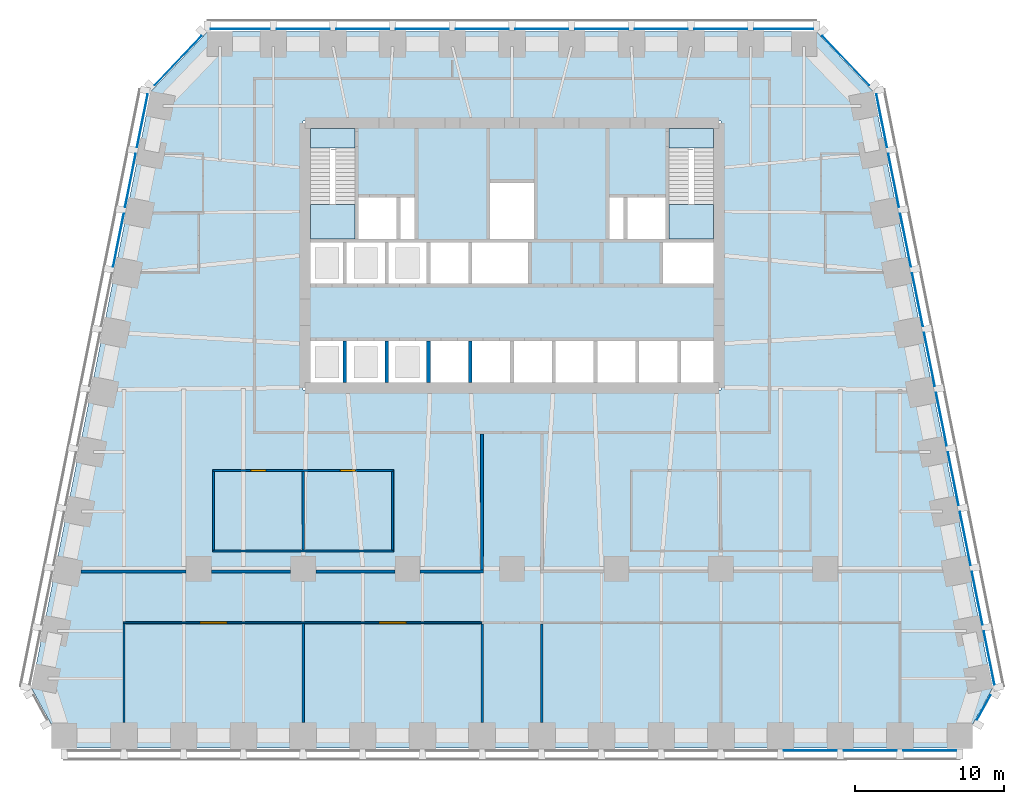
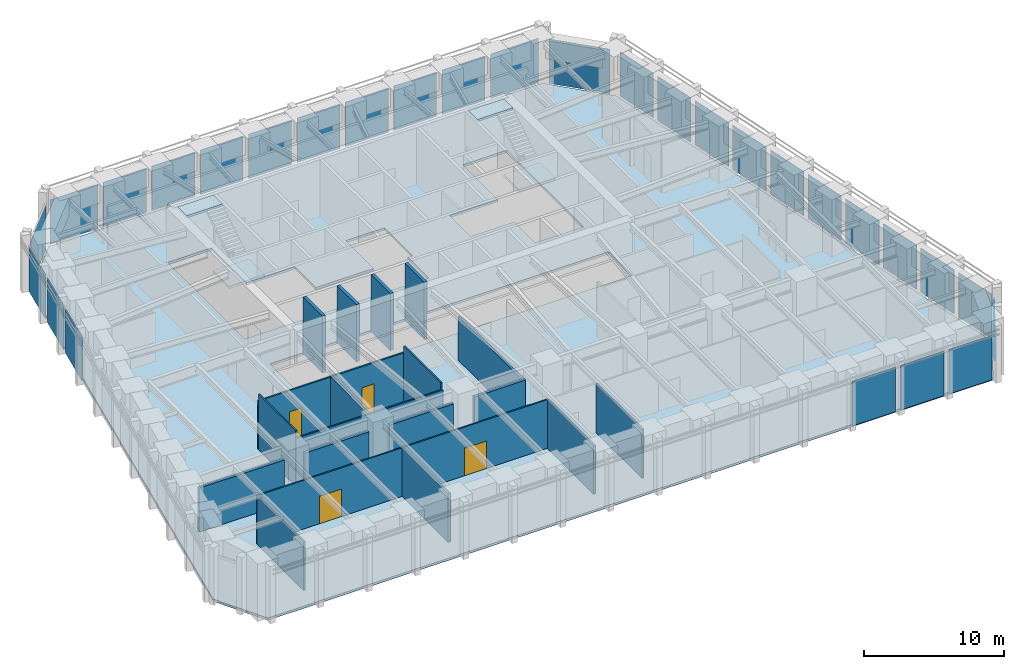
# One storey, part 5 of 11: 29 plates, 19 walls, 5 slabs, 4 doors, 4 openings, 9 elements without a shape of their own.
"""IFC4 building model written with IfcOpenShell, lengths in metres."""

import ifcopenshell
import ifcopenshell.guid

model = None  # the IFC model being written
_history = None  # IfcOwnerHistory: only IFC2X3 demands one
_inside = {}  # id of a spatial element -> (the spatial element, [elements in it])
_under = {}  # id of a project, library or spatial element -> (it, [spatial elements below it])
_declared = {}  # id of a project -> (the project, [libraries it declares])
_typed = {}  # id of a type object -> (the type object, [elements of that type])
_made_of = {}  # id of a material, layer set ... -> (it, [elements and type objects made of it])


def new_model(schema):
    """Start an empty IFC model of exactly this schema.

    Asked for "IFC4X3", IfcOpenShell would pick the latest addendum, in which some entities
    have other attributes; the version numbers below select the first issue.
    IFC2X3 requires an IfcOwnerHistory on every rooted entity: one is made here for all.
    """
    global model, _history
    if schema == "IFC4X3":
        model = ifcopenshell.file(schema_version=(4, 3, 0, 0))
    else:
        model = ifcopenshell.file(schema=schema)
    _inside.clear()
    _under.clear()
    _declared.clear()
    _typed.clear()
    _made_of.clear()
    _history = None
    if model.schema == "IFC2X3":
        org = make("IfcOrganization", Name="unknown")
        user = make(
            "IfcPersonAndOrganization",
            ThePerson=make("IfcPerson", FamilyName="unknown"),
            TheOrganization=org,
        )
        app = make(
            "IfcApplication",
            ApplicationDeveloper=org,
            Version="unknown",
            ApplicationFullName="unknown",
            ApplicationIdentifier="unknown",
        )
        _history = make(
            "IfcOwnerHistory",
            OwningUser=user,
            OwningApplication=app,
            ChangeAction="ADDED",
            CreationDate=0,
        )
    return model


def make(cls, **values):
    """One entity of the class cls with the attributes given. An attribute that is None is left unset."""
    return model.create_entity(
        cls, **{name: value for name, value in values.items() if value is not None}
    )


def rooted(cls, **values):
    """An entity with a GlobalId (a new one), such as an element, a storey or a relation."""
    return make(cls, GlobalId=ifcopenshell.guid.new(), OwnerHistory=_history, **values)


def si_unit(unit_type, name, prefix=None):
    """IfcSIUnit, for example si_unit("LENGTHUNIT", "METRE", prefix="MILLI")."""
    return make("IfcSIUnit", UnitType=unit_type, Prefix=prefix, Name=name)


def assignment(units):
    """IfcUnitAssignment: the units of a project."""
    return None if units is None else make("IfcUnitAssignment", Units=units)


def point(xyz):
    """IfcCartesianPoint."""
    return None if xyz is None else make("IfcCartesianPoint", Coordinates=xyz)


def direction(xyz):
    """IfcDirection."""
    return None if xyz is None else make("IfcDirection", DirectionRatios=xyz)


def frame(location, z_axis=None, x_axis=None):
    """IfcAxis2Placement3D, a coordinate frame: its origin and axes. An axis left out is left unset."""
    return make(
        "IfcAxis2Placement3D",
        Location=point(location),
        Axis=direction(z_axis),
        RefDirection=direction(x_axis),
    )


def frame_2d(location, x_axis=None):
    """IfcAxis2Placement2D, a coordinate frame in the plane: its origin and x axis."""
    return make(
        "IfcAxis2Placement2D", Location=point(location), RefDirection=direction(x_axis)
    )


def origin():
    """The frame at (0, 0, 0) with its axes left unset."""
    return frame((0.0, 0.0, 0.0))


def origin_2d():
    """The frame at (0, 0) in the plane with its x axis left unset."""
    return frame_2d((0.0, 0.0))


def place(relative_to, where):
    """IfcLocalPlacement: puts the frame where relative to a parent placement (None: the world)."""
    return make(
        "IfcLocalPlacement", PlacementRelTo=relative_to, RelativePlacement=where
    )


def context(
    kind, dimensions, precision=None, world=None, true_north=None, identifier=None
):
    """IfcGeometricRepresentationContext, for example the 3D "Model" context."""
    return make(
        "IfcGeometricRepresentationContext",
        ContextIdentifier=identifier,
        ContextType=kind,
        CoordinateSpaceDimension=dimensions,
        Precision=precision,
        WorldCoordinateSystem=world,
        TrueNorth=true_north,
    )


def subcontext(parent, identifier, kind, view, scale=None):
    """IfcGeometricRepresentationSubContext, for example "Body" below "Model"."""
    return make(
        "IfcGeometricRepresentationSubContext",
        ContextIdentifier=identifier,
        ContextType=kind,
        ParentContext=parent,
        TargetScale=scale,
        TargetView=view,
    )


def project(units=None, contexts=None):
    """IfcProject with its units and contexts."""
    return rooted(
        "IfcProject",
        Name="project",
        RepresentationContexts=contexts,
        UnitsInContext=assignment(units),
    )


def spatial(cls, under=None, at=None, **own):
    """A site, building, storey or space (cls), placed at a placement, below another one or the project."""
    s = rooted(cls, ObjectPlacement=at, **own)
    if under is not None:
        _under.setdefault(under.id(), (under, []))[1].append(s)
    return s


def polyline(points):
    """IfcPolyline through the points."""
    return make("IfcPolyline", Points=[point(p) for p in points])


def profile(cls, at=None, kind="AREA", **sizes):
    """A parametric profile (cls). Its sizes go by their IFC names, for example OverallWidth=200.0."""
    return make(cls, ProfileType=kind, Position=at, **sizes)


def rectangle(**sizes):
    """IfcRectangleProfileDef."""
    return profile("IfcRectangleProfileDef", **sizes)


def outline(outer, holes=None, kind="AREA"):
    """IfcArbitraryClosedProfileDef: a profile drawn as a closed curve; with holes, ...WithVoids."""
    if holes is None:
        return make("IfcArbitraryClosedProfileDef", ProfileType=kind, OuterCurve=outer)
    return make(
        "IfcArbitraryProfileDefWithVoids",
        ProfileType=kind,
        OuterCurve=outer,
        InnerCurves=holes,
    )


def extrude(swept, where, along, depth):
    """IfcExtrudedAreaSolid: the profile swept, set in the frame where, extruded along a direction by depth."""
    return make(
        "IfcExtrudedAreaSolid",
        SweptArea=swept,
        Position=where,
        ExtrudedDirection=direction(along),
        Depth=depth,
    )


def shape(context_of_items, identifier, shape_type, items):
    """IfcShapeRepresentation: the items that make up one representation, for example the "Body"."""
    return make(
        "IfcShapeRepresentation",
        ContextOfItems=context_of_items,
        RepresentationIdentifier=identifier,
        RepresentationType=shape_type,
        Items=items,
    )


def material(Name=None, Category=None):
    """IfcMaterial."""
    return make("IfcMaterial", Name=Name, Category=Category)


def layer(
    of_material, thickness, ventilated=None, Name=None, Category=None, Priority=None
):
    """IfcMaterialLayer: one layer of a wall or slab, of a material (None: an air gap)."""
    return make(
        "IfcMaterialLayer",
        Material=of_material,
        LayerThickness=thickness,
        IsVentilated=ventilated,
        Name=Name,
        Category=Category,
        Priority=Priority,
    )


def layer_set(layers, Name=None):
    """IfcMaterialLayerSet."""
    return make("IfcMaterialLayerSet", MaterialLayers=layers, LayerSetName=Name)


def made_of(thing, what):
    """Note that an element or type object is made of a material, layer set ...; save() writes the relation."""
    if what is not None:
        _made_of.setdefault(what.id(), (what, []))[1].append(thing)
    return thing


def type_object(cls, material=None, **own):
    """A type object (cls), such as IfcWallType, which elements share."""
    return made_of(rooted(cls, **own), material)


def element(
    cls,
    number,
    at=None,
    inside=None,
    cuts=None,
    type_object=None,
    material=None,
    context=None,
    identifier="Body",
    shape_type=None,
    held_by="IfcProductDefinitionShape",
    body=None,
    shapes=None,
    **own,
):
    """One element of the class cls, such as IfcWall. Its Tag is "e" and its number.

    at: its placement. inside: the storey or other place that contains it. cuts: it is an
    opening in that element (IfcRelVoidsElement). A single representation is given by context,
    identifier, shape_type and body (its items); several are given by shapes. held_by: the class
    of the entity that holds the representations. save() writes the other relations.
    """
    e = rooted(cls, Tag="e%d" % number, ObjectPlacement=at, **own)
    if body is not None:
        shapes = [shape(context, identifier, shape_type, body)]
    if shapes is not None:
        e.Representation = make(held_by, Representations=shapes)
    if inside is not None:
        _inside.setdefault(inside.id(), (inside, []))[1].append(e)
    if cuts is not None:
        rooted(
            "IfcRelVoidsElement", RelatingBuildingElement=cuts, RelatedOpeningElement=e
        )
    if type_object is not None:
        _typed.setdefault(type_object.id(), (type_object, []))[1].append(e)
    return made_of(e, material)


def fill(opening, filler):
    """IfcRelFillsElement: the door or window that sits in an opening."""
    return rooted(
        "IfcRelFillsElement",
        RelatingOpeningElement=opening,
        RelatedBuildingElement=filler,
    )


def aggregate(whole, parts):
    """IfcRelAggregates: a whole, such as a stair, and the parts it consists of."""
    return rooted("IfcRelAggregates", RelatingObject=whole, RelatedObjects=parts)


def save(model, path):
    """Write the relations noted so far, then the file.

    IfcRelAggregates (storeys below a building ...), IfcRelContainedInSpatialStructure (elements
    in a storey), IfcRelDefinesByType, IfcRelAssociatesMaterial and IfcRelDeclares: one each for
    every whole, place, type object, material and project.
    """
    for whole, parts in _under.values():
        aggregate(whole, parts)
    for where, things in _inside.values():
        rooted(
            "IfcRelContainedInSpatialStructure",
            RelatedElements=things,
            RelatingStructure=where,
        )
    for kind, things in _typed.values():
        rooted("IfcRelDefinesByType", RelatedObjects=things, RelatingType=kind)
    for what, things in _made_of.values():
        rooted("IfcRelAssociatesMaterial", RelatedObjects=things, RelatingMaterial=what)
    for by, libraries in _declared.values():
        rooted("IfcRelDeclares", RelatingContext=by, RelatedDefinitions=libraries)
    model.write(path)


model = new_model("IFC4")

# Units and contexts
model_context = context("Model", 3, precision=1e-05, world=origin(), true_north=direction((0.0, 1.0)))
body_context = subcontext(model_context, "Body", "Model", "MODEL_VIEW")
ifc_project = project(units=[si_unit("LENGTHUNIT", "METRE"), si_unit("AREAUNIT", "SQUARE_METRE"), si_unit("VOLUMEUNIT", "CUBIC_METRE"), si_unit("PLANEANGLEUNIT", "RADIAN"), si_unit("MASSUNIT", "GRAM", prefix="KILO")], contexts=[model_context])

# Site, building, storey
site_placement = place(None, origin())
site = spatial("IfcSite", under=ifc_project, at=site_placement, CompositionType="ELEMENT")
building_placement = place(site_placement, origin())
building = spatial("IfcBuilding", under=site, at=building_placement, Name="Isbrekke Arena Tower", CompositionType="ELEMENT")
storey_placement = place(building_placement, frame((0.0, 0.0, 98.0)))
storey = spatial("IfcBuildingStorey", under=building, at=storey_placement, Name="L21", CompositionType="ELEMENT", Elevation=98.0)

# Curtain wall, plates
ifc_material_1 = material(Name="Glazed aluminium curtain wall", Category="aluminium")
curtain_wall_type = type_object("IfcCurtainWallType", Name="CWS SKY LOBBY CURTAIN WALL", PredefinedType="USERDEFINED", material=ifc_material_1)
curtain_wall_1_placement = place(storey_placement, origin())
curtain_wall_1 = element("IfcCurtainWall", 1, at=curtain_wall_1_placement, inside=storey, type_object=curtain_wall_type, Name="CWS curtain wall L21-S", ObjectType="SKY LOBBY CURTAIN WALL", PredefinedType="USERDEFINED")
ifc_material_2 = material(Name="Triple-glazed clear glass unit", Category="glass")
ifc_layer_1 = layer(ifc_material_2, 0.031982421875)
ifc_layer_set_1 = layer_set([ifc_layer_1], Name="CWS-P VISION PANEL")
plate_type = type_object("IfcPlateType", Name="CWS-P VISION PANEL", PredefinedType="CURTAIN_PANEL", material=ifc_layer_set_1)
plate_1_placement = place(storey_placement, frame((20.0, -18.175048828125, 0.02001953125), z_axis=(0.0, 0.0, 1.0), x_axis=(1.0, 0.0, 0.0)))
plate_1 = element("IfcPlate", 2, at=plate_1_placement, type_object=plate_type, Name="CWS-P panel 13", PredefinedType="CURTAIN_PANEL", context=body_context, shape_type="SweptSolid", body=[
    extrude(rectangle(XDim=3.550048828125, YDim=0.031982421875, at=origin_2d()), origin(), (0.0, 0.0, 1.0), 3.8798828125),
])
plate_2_placement = place(storey_placement, frame((24.0, -18.175048828125, 0.02001953125), z_axis=(0.0, 0.0, 1.0), x_axis=(1.0, 0.0, 0.0)))
plate_2 = element("IfcPlate", 3, at=plate_2_placement, type_object=plate_type, Name="CWS-P panel 14", PredefinedType="CURTAIN_PANEL", context=body_context, shape_type="SweptSolid", body=[
    extrude(rectangle(XDim=3.550048828125, YDim=0.031982421875, at=origin_2d()), origin(), (0.0, 0.0, 1.0), 3.8798828125),
])
plate_3_placement = place(storey_placement, frame((28.0, -18.175048828125, 0.02001953125), z_axis=(0.0, 0.0, 1.0), x_axis=(1.0, 0.0, 0.0)))
plate_3 = element("IfcPlate", 4, at=plate_3_placement, type_object=plate_type, Name="CWS-P panel 15", PredefinedType="CURTAIN_PANEL", context=body_context, shape_type="SweptSolid", body=[
    extrude(rectangle(XDim=3.550048828125, YDim=0.031982421875, at=origin_2d()), origin(), (0.0, 0.0, 1.0), 3.8798828125),
])
aggregate(curtain_wall_1, [plate_1, plate_2, plate_3])

# Curtain wall, plate
curtain_wall_2_placement = place(storey_placement, origin())
curtain_wall_2 = element("IfcCurtainWall", 5, at=curtain_wall_2_placement, inside=storey, type_object=curtain_wall_type, Name="CWS curtain wall L21-SE", ObjectType="SKY LOBBY CURTAIN WALL", PredefinedType="USERDEFINED")
plate_4_placement = place(storey_placement, frame((31.604248046875, -15.29052734375, 0.02001953125), z_axis=(0.0, 0.0, 1.0), x_axis=(0.481918749773, 0.876215908676, 0.0)))
plate_4 = element("IfcPlate", 6, at=plate_4_placement, type_object=plate_type, Name="CWS-P panel 1", PredefinedType="CURTAIN_PANEL", context=body_context, shape_type="SweptSolid", body=[
    extrude(rectangle(XDim=1.876220703125, YDim=0.031982421875, at=origin_2d()), origin(), (0.0, 0.0, 1.0), 3.8798828125),
])
aggregate(curtain_wall_2, [plate_4])

# Curtain wall, plates
curtain_wall_3_placement = place(storey_placement, origin())
curtain_wall_3 = element("IfcCurtainWall", 7, at=curtain_wall_3_placement, inside=storey, type_object=curtain_wall_type, Name="CWS curtain wall L21-E", ObjectType="SKY LOBBY CURTAIN WALL", PredefinedType="USERDEFINED")
plate_5_placement = place(storey_placement, frame((31.9716796875, -11.965576171875, 0.02001953125), z_axis=(0.0, 0.0, 1.0), x_axis=(-0.196116135138, 0.980580675691, 0.0)))
plate_5 = element("IfcPlate", 8, at=plate_5_placement, type_object=plate_type, Name="CWS-P panel 1", PredefinedType="CURTAIN_PANEL", context=body_context, shape_type="SweptSolid", body=[
    extrude(rectangle(XDim=3.629150390625, YDim=0.031982421875, at=origin_2d()), origin(), (0.0, 0.0, 1.0), 3.8798828125),
])
plate_6_placement = place(storey_placement, frame((31.171630859375, -7.965576171875, 0.02001953125), z_axis=(0.0, 0.0, 1.0), x_axis=(-0.196116135138, 0.980580675691, 0.0)))
plate_6 = element("IfcPlate", 9, at=plate_6_placement, type_object=plate_type, Name="CWS-P panel 2", PredefinedType="CURTAIN_PANEL", context=body_context, shape_type="SweptSolid", body=[
    extrude(rectangle(XDim=3.629150390625, YDim=0.031982421875, at=origin_2d()), origin(), (0.0, 0.0, 1.0), 3.8798828125),
])
plate_7_placement = place(storey_placement, frame((30.37158203125, -3.965576171875, 0.02001953125), z_axis=(0.0, 0.0, 1.0), x_axis=(-0.196116135138, 0.980580675691, 0.0)))
plate_7 = element("IfcPlate", 10, at=plate_7_placement, type_object=plate_type, Name="CWS-P panel 3", PredefinedType="CURTAIN_PANEL", context=body_context, shape_type="SweptSolid", body=[
    extrude(rectangle(XDim=3.629150390625, YDim=0.031982421875, at=origin_2d()), origin(), (0.0, 0.0, 1.0), 3.8798828125),
])
plate_8_placement = place(storey_placement, frame((29.571533203125, 0.034423828125, 0.02001953125), z_axis=(0.0, 0.0, 1.0), x_axis=(-0.196116135138, 0.980580675691, 0.0)))
plate_8 = element("IfcPlate", 11, at=plate_8_placement, type_object=plate_type, Name="CWS-P panel 4", PredefinedType="CURTAIN_PANEL", context=body_context, shape_type="SweptSolid", body=[
    extrude(rectangle(XDim=3.629150390625, YDim=0.031982421875, at=origin_2d()), origin(), (0.0, 0.0, 1.0), 3.8798828125),
])
plate_9_placement = place(storey_placement, frame((28.771484375, 4.034423828125, 0.02001953125), z_axis=(0.0, 0.0, 1.0), x_axis=(-0.196116135138, 0.980580675691, 0.0)))
plate_9 = element("IfcPlate", 12, at=plate_9_placement, type_object=plate_type, Name="CWS-P panel 5", PredefinedType="CURTAIN_PANEL", context=body_context, shape_type="SweptSolid", body=[
    extrude(rectangle(XDim=3.629150390625, YDim=0.031982421875, at=origin_2d()), origin(), (0.0, 0.0, 1.0), 3.8798828125),
])
plate_10_placement = place(storey_placement, frame((27.9716796875, 8.034423828125, 0.02001953125), z_axis=(0.0, 0.0, 1.0), x_axis=(-0.196116135138, 0.980580675691, 0.0)))
plate_10 = element("IfcPlate", 13, at=plate_10_placement, type_object=plate_type, Name="CWS-P panel 6", PredefinedType="CURTAIN_PANEL", context=body_context, shape_type="SweptSolid", body=[
    extrude(rectangle(XDim=3.629150390625, YDim=0.031982421875, at=origin_2d()), origin(), (0.0, 0.0, 1.0), 3.8798828125),
])
plate_11_placement = place(storey_placement, frame((27.171630859375, 12.034423828125, 0.02001953125), z_axis=(0.0, 0.0, 1.0), x_axis=(-0.196116135138, 0.980580675691, 0.0)))
plate_11 = element("IfcPlate", 14, at=plate_11_placement, type_object=plate_type, Name="CWS-P panel 7", PredefinedType="CURTAIN_PANEL", context=body_context, shape_type="SweptSolid", body=[
    extrude(rectangle(XDim=3.629150390625, YDim=0.031982421875, at=origin_2d()), origin(), (0.0, 0.0, 1.0), 3.8798828125),
])
plate_12_placement = place(storey_placement, frame((26.37158203125, 16.034423828125, 0.02001953125), z_axis=(0.0, 0.0, 1.0), x_axis=(-0.196116135138, 0.980580675691, 0.0)))
plate_12 = element("IfcPlate", 15, at=plate_12_placement, type_object=plate_type, Name="CWS-P panel 8", PredefinedType="CURTAIN_PANEL", context=body_context, shape_type="SweptSolid", body=[
    extrude(rectangle(XDim=3.629150390625, YDim=0.031982421875, at=origin_2d()), origin(), (0.0, 0.0, 1.0), 3.8798828125),
])
plate_13_placement = place(storey_placement, frame((25.571533203125, 20.034423828125, 0.02001953125), z_axis=(0.0, 0.0, 1.0), x_axis=(-0.196116135138, 0.980580675691, 0.0)))
plate_13 = element("IfcPlate", 16, at=plate_13_placement, type_object=plate_type, Name="CWS-P panel 9", PredefinedType="CURTAIN_PANEL", context=body_context, shape_type="SweptSolid", body=[
    extrude(rectangle(XDim=3.629150390625, YDim=0.031982421875, at=origin_2d()), origin(), (0.0, 0.0, 1.0), 3.8798828125),
])
plate_14_placement = place(storey_placement, frame((24.771484375, 24.034423828125, 0.02001953125), z_axis=(0.0, 0.0, 1.0), x_axis=(-0.196116135138, 0.980580675691, 0.0)))
plate_14 = element("IfcPlate", 17, at=plate_14_placement, type_object=plate_type, Name="CWS-P panel 10", PredefinedType="CURTAIN_PANEL", context=body_context, shape_type="SweptSolid", body=[
    extrude(rectangle(XDim=3.629150390625, YDim=0.031982421875, at=origin_2d()), origin(), (0.0, 0.0, 1.0), 3.8798828125),
])
aggregate(curtain_wall_3, [plate_5, plate_6, plate_7, plate_8, plate_9, plate_10, plate_11, plate_12, plate_13, plate_14])

# Curtain wall, plate
curtain_wall_4_placement = place(storey_placement, origin())
curtain_wall_4 = element("IfcCurtainWall", 18, at=curtain_wall_4_placement, inside=storey, type_object=curtain_wall_type, Name="CWS curtain wall L21-EN", ObjectType="SKY LOBBY CURTAIN WALL", PredefinedType="USERDEFINED")
plate_15_placement = place(storey_placement, frame((22.374755859375, 28.06640625, 0.02001953125), z_axis=(0.0, 0.0, 1.0), x_axis=(-0.68874946192, 0.72499943359, 0.0)))
plate_15 = element("IfcPlate", 19, at=plate_15_placement, type_object=plate_type, Name="CWS-P panel 1", PredefinedType="CURTAIN_PANEL", context=body_context, shape_type="SweptSolid", body=[
    extrude(rectangle(XDim=4.558349609375, YDim=0.031982421875, at=origin_2d()), origin(), (0.0, 0.0, 1.0), 3.8798828125),
])
aggregate(curtain_wall_4, [plate_15])

# Curtain wall, plates
curtain_wall_5_placement = place(storey_placement, origin())
curtain_wall_5 = element("IfcCurtainWall", 20, at=curtain_wall_5_placement, inside=storey, type_object=curtain_wall_type, Name="CWS curtain wall L21-N", ObjectType="SKY LOBBY CURTAIN WALL", PredefinedType="USERDEFINED")
plate_16_placement = place(storey_placement, frame((18.199951171875, 30.175048828125, 0.02001953125), z_axis=(0.0, 0.0, 1.0), x_axis=(-1.0, 0.0, 0.0)))
plate_16 = element("IfcPlate", 21, at=plate_16_placement, type_object=plate_type, Name="CWS-P panel 1", PredefinedType="CURTAIN_PANEL", context=body_context, shape_type="SweptSolid", body=[
    extrude(rectangle(XDim=3.949951171875, YDim=0.031982421875, at=origin_2d()), origin(), (0.0, 0.0, 1.0), 3.8798828125),
])
plate_17_placement = place(storey_placement, frame((14.0, 30.175048828125, 0.02001953125), z_axis=(0.0, 0.0, 1.0), x_axis=(-1.0, 0.0, 0.0)))
plate_17 = element("IfcPlate", 22, at=plate_17_placement, type_object=plate_type, Name="CWS-P panel 2", PredefinedType="CURTAIN_PANEL", context=body_context, shape_type="SweptSolid", body=[
    extrude(rectangle(XDim=3.550048828125, YDim=0.031982421875, at=origin_2d()), origin(), (0.0, 0.0, 1.0), 3.8798828125),
])
plate_18_placement = place(storey_placement, frame((10.0, 30.175048828125, 0.02001953125), z_axis=(0.0, 0.0, 1.0), x_axis=(-1.0, 0.0, 0.0)))
plate_18 = element("IfcPlate", 23, at=plate_18_placement, type_object=plate_type, Name="CWS-P panel 3", PredefinedType="CURTAIN_PANEL", context=body_context, shape_type="SweptSolid", body=[
    extrude(rectangle(XDim=3.550048828125, YDim=0.031982421875, at=origin_2d()), origin(), (0.0, 0.0, 1.0), 3.8798828125),
])
plate_19_placement = place(storey_placement, frame((6.0, 30.175048828125, 0.02001953125), z_axis=(0.0, 0.0, 1.0), x_axis=(-1.0, 0.0, 0.0)))
plate_19 = element("IfcPlate", 24, at=plate_19_placement, type_object=plate_type, Name="CWS-P panel 4", PredefinedType="CURTAIN_PANEL", context=body_context, shape_type="SweptSolid", body=[
    extrude(rectangle(XDim=3.550048828125, YDim=0.031982421875, at=origin_2d()), origin(), (0.0, 0.0, 1.0), 3.8798828125),
])
plate_20_placement = place(storey_placement, frame((2.0, 30.175048828125, 0.02001953125), z_axis=(0.0, 0.0, 1.0), x_axis=(-1.0, 0.0, 0.0)))
plate_20 = element("IfcPlate", 25, at=plate_20_placement, type_object=plate_type, Name="CWS-P panel 5", PredefinedType="CURTAIN_PANEL", context=body_context, shape_type="SweptSolid", body=[
    extrude(rectangle(XDim=3.550048828125, YDim=0.031982421875, at=origin_2d()), origin(), (0.0, 0.0, 1.0), 3.8798828125),
])
plate_21_placement = place(storey_placement, frame((-2.0, 30.175048828125, 0.02001953125), z_axis=(0.0, 0.0, 1.0), x_axis=(-1.0, 0.0, 0.0)))
plate_21 = element("IfcPlate", 26, at=plate_21_placement, type_object=plate_type, Name="CWS-P panel 6", PredefinedType="CURTAIN_PANEL", context=body_context, shape_type="SweptSolid", body=[
    extrude(rectangle(XDim=3.550048828125, YDim=0.031982421875, at=origin_2d()), origin(), (0.0, 0.0, 1.0), 3.8798828125),
])
plate_22_placement = place(storey_placement, frame((-6.0, 30.175048828125, 0.02001953125), z_axis=(0.0, 0.0, 1.0), x_axis=(-1.0, 0.0, 0.0)))
plate_22 = element("IfcPlate", 27, at=plate_22_placement, type_object=plate_type, Name="CWS-P panel 7", PredefinedType="CURTAIN_PANEL", context=body_context, shape_type="SweptSolid", body=[
    extrude(rectangle(XDim=3.550048828125, YDim=0.031982421875, at=origin_2d()), origin(), (0.0, 0.0, 1.0), 3.8798828125),
])
plate_23_placement = place(storey_placement, frame((-10.0, 30.175048828125, 0.02001953125), z_axis=(0.0, 0.0, 1.0), x_axis=(-1.0, 0.0, 0.0)))
plate_23 = element("IfcPlate", 28, at=plate_23_placement, type_object=plate_type, Name="CWS-P panel 8", PredefinedType="CURTAIN_PANEL", context=body_context, shape_type="SweptSolid", body=[
    extrude(rectangle(XDim=3.550048828125, YDim=0.031982421875, at=origin_2d()), origin(), (0.0, 0.0, 1.0), 3.8798828125),
])
plate_24_placement = place(storey_placement, frame((-14.0, 30.175048828125, 0.02001953125), z_axis=(0.0, 0.0, 1.0), x_axis=(-1.0, 0.0, 0.0)))
plate_24 = element("IfcPlate", 29, at=plate_24_placement, type_object=plate_type, Name="CWS-P panel 9", PredefinedType="CURTAIN_PANEL", context=body_context, shape_type="SweptSolid", body=[
    extrude(rectangle(XDim=3.550048828125, YDim=0.031982421875, at=origin_2d()), origin(), (0.0, 0.0, 1.0), 3.8798828125),
])
plate_25_placement = place(storey_placement, frame((-18.199951171875, 30.175048828125, 0.02001953125), z_axis=(0.0, 0.0, 1.0), x_axis=(-1.0, 0.0, 0.0)))
plate_25 = element("IfcPlate", 30, at=plate_25_placement, type_object=plate_type, Name="CWS-P panel 10", PredefinedType="CURTAIN_PANEL", context=body_context, shape_type="SweptSolid", body=[
    extrude(rectangle(XDim=3.949951171875, YDim=0.031982421875, at=origin_2d()), origin(), (0.0, 0.0, 1.0), 3.8798828125),
])
aggregate(curtain_wall_5, [plate_16, plate_17, plate_18, plate_19, plate_20, plate_21, plate_22, plate_23, plate_24, plate_25])

# Curtain wall, plate
curtain_wall_6_placement = place(storey_placement, origin())
curtain_wall_6 = element("IfcCurtainWall", 31, at=curtain_wall_6_placement, inside=storey, type_object=curtain_wall_type, Name="CWS curtain wall L21-NW", ObjectType="SKY LOBBY CURTAIN WALL", PredefinedType="USERDEFINED")
plate_26_placement = place(storey_placement, frame((-22.37451171875, 28.066650390625, 0.02001953125), z_axis=(0.0, 0.0, 1.0), x_axis=(-0.68874946192, -0.72499943359, 0.0)))
plate_26 = element("IfcPlate", 32, at=plate_26_placement, type_object=plate_type, Name="CWS-P panel 1", PredefinedType="CURTAIN_PANEL", context=body_context, shape_type="SweptSolid", body=[
    extrude(rectangle(XDim=4.557373046875, YDim=0.031982421875, at=origin_2d()), origin(), (0.0, 0.0, 1.0), 3.8798828125),
])
aggregate(curtain_wall_6, [plate_26])

# Curtain wall, plates
curtain_wall_7_placement = place(storey_placement, origin())
curtain_wall_7 = element("IfcCurtainWall", 33, at=curtain_wall_7_placement, inside=storey, type_object=curtain_wall_type, Name="CWS curtain wall L21-W", ObjectType="SKY LOBBY CURTAIN WALL", PredefinedType="USERDEFINED")
plate_27_placement = place(storey_placement, frame((-24.771484375, 24.034423828125, 0.02001953125), z_axis=(0.0, 0.0, 1.0), x_axis=(-0.196116135138, -0.980580675691, 0.0)))
plate_27 = element("IfcPlate", 34, at=plate_27_placement, type_object=plate_type, Name="CWS-P panel 1", PredefinedType="CURTAIN_PANEL", context=body_context, shape_type="SweptSolid", body=[
    extrude(rectangle(XDim=3.629150390625, YDim=0.031982421875, at=origin_2d()), origin(), (0.0, 0.0, 1.0), 3.8798828125),
])
plate_28_placement = place(storey_placement, frame((-25.571533203125, 20.034423828125, 0.02001953125), z_axis=(0.0, 0.0, 1.0), x_axis=(-0.196116135138, -0.980580675691, 0.0)))
plate_28 = element("IfcPlate", 35, at=plate_28_placement, type_object=plate_type, Name="CWS-P panel 2", PredefinedType="CURTAIN_PANEL", context=body_context, shape_type="SweptSolid", body=[
    extrude(rectangle(XDim=3.629150390625, YDim=0.031982421875, at=origin_2d()), origin(), (0.0, 0.0, 1.0), 3.8798828125),
])
plate_29_placement = place(storey_placement, frame((-26.37158203125, 16.034423828125, 0.02001953125), z_axis=(0.0, 0.0, 1.0), x_axis=(-0.196116135138, -0.980580675691, 0.0)))
plate_29 = element("IfcPlate", 36, at=plate_29_placement, type_object=plate_type, Name="CWS-P panel 3", PredefinedType="CURTAIN_PANEL", context=body_context, shape_type="SweptSolid", body=[
    extrude(rectangle(XDim=3.629150390625, YDim=0.031982421875, at=origin_2d()), origin(), (0.0, 0.0, 1.0), 3.8798828125),
])
aggregate(curtain_wall_7, [plate_27, plate_28, plate_29])

# Slab
ifc_material_3 = material(Name="Concrete B35 (C35/45)", Category="concrete")
ifc_layer_2 = layer(ifc_material_3, 0.199951171875)
ifc_layer_set_2 = layer_set([ifc_layer_2], Name="FS3 SKY LOBBY FLOOR 200")
slab_type_1 = type_object("IfcSlabType", Name="FS3 SKY LOBBY FLOOR 200", PredefinedType="FLOOR", material=ifc_layer_set_2)
slab_1_placement = place(storey_placement, frame((0.0, 0.0, -0.199951171875)))
element("IfcSlab", 37, at=slab_1_placement, inside=storey, type_object=slab_type_1, Name="FS3 floor slab L21", PredefinedType="FLOOR", context=body_context, shape_type="SweptSolid", body=[
    extrude(outline(polyline([(-30.0, -18.0), (30.0, -18.0), (32.199951171875, -14.0), (24.199951171875, 26.0), (20.39990234375, 30.0), (-20.39990234375, 30.0), (-24.199951171875, 26.0), (-32.199951171875, -14.0), (-30.0, -18.0)]), holes=[polyline([(14.0, 9.39990234375), (14.0, 6.0), (-14.0, 6.0), (-14.0, 9.39990234375), (14.0, 9.39990234375)]), polyline([(-6.39990234375, 19.0), (-6.39990234375, 16.0), (-1.60009765625, 16.0), (-1.60009765625, 20.0), (1.60009765625, 20.0), (1.60009765625, 16.0), (1.199951171875, 16.0), (1.199951171875, 13.0), (-14.0, 13.0), (-14.0, 24.0), (-10.39990234375, 24.0), (-10.39990234375, 19.0), (-6.39990234375, 19.0)]), polyline([(10.0, 13.0), (10.0, 16.0), (6.39990234375, 16.0), (6.39990234375, 19.0), (10.39990234375, 19.0), (10.39990234375, 24.0), (14.0, 24.0), (14.0, 13.0), (10.0, 13.0)])]), origin(), (0.0, 0.0, 1.0), 0.199951171875),
])

# Stair, slabs
ifc_material_4 = material(Name="Concrete B45 (C45/55) precast", Category="concrete")
stair_type = type_object("IfcStairType", Name="ST50 STAIR 1300 WIDE, 30 RISERS 167", PredefinedType="HALF_TURN_STAIR", material=ifc_material_4)
stair_1_placement = place(storey_placement, origin())
stair_1 = element("IfcStair", 38, at=stair_1_placement, inside=storey, type_object=stair_type, Name="ST1 stair L21", PredefinedType="HALF_TURN_STAIR")
ifc_material_5 = material(Name="Concrete B35 (C35/45)", Category="concrete")
ifc_layer_3 = layer(ifc_material_5, 0.199951171875)
ifc_layer_set_3 = layer_set([ifc_layer_3], Name="SL1 STAIR LANDING 200")
slab_type_2 = type_object("IfcSlabType", Name="SL1 STAIR LANDING 200", PredefinedType="LANDING", material=ifc_layer_set_3)
slab_2_placement = place(storey_placement, frame((0.0, 0.0, 2.300048828125)))
slab_2 = element("IfcSlab", 39, at=slab_2_placement, type_object=slab_type_2, Name="ST1 landing 1", PredefinedType="LANDING", context=body_context, shape_type="SweptSolid", body=[
    extrude(outline(polyline([(-13.5, 16.125), (-10.52490234375, 16.125), (-10.52490234375, 18.419921875), (-13.5, 18.419921875), (-13.5, 16.125)])), origin(), (0.0, 0.0, 1.0), 0.199951171875),
])
slab_3_placement = place(storey_placement, frame((0.0, 0.0, 4.800048828125)))
slab_3 = element("IfcSlab", 40, at=slab_3_placement, type_object=slab_type_2, Name="ST1 landing 2", PredefinedType="LANDING", context=body_context, shape_type="SweptSolid", body=[
    extrude(outline(polyline([(-13.5, 22.199951171875), (-10.52490234375, 22.199951171875), (-10.52490234375, 23.5), (-13.5, 23.5), (-13.5, 22.199951171875)])), origin(), (0.0, 0.0, 1.0), 0.199951171875),
])
aggregate(stair_1, [slab_2, slab_3])

stair_2_placement = place(storey_placement, origin())
stair_2 = element("IfcStair", 41, at=stair_2_placement, inside=storey, type_object=stair_type, Name="ST2 stair L21", PredefinedType="HALF_TURN_STAIR")
slab_4_placement = place(storey_placement, frame((0.0, 0.0, 2.300048828125)))
slab_4 = element("IfcSlab", 42, at=slab_4_placement, type_object=slab_type_2, Name="ST2 landing 1", PredefinedType="LANDING", context=body_context, shape_type="SweptSolid", body=[
    extrude(outline(polyline([(10.52490234375, 16.125), (13.5, 16.125), (13.5, 18.419921875), (10.52490234375, 18.419921875), (10.52490234375, 16.125)])), origin(), (0.0, 0.0, 1.0), 0.199951171875),
])
slab_5_placement = place(storey_placement, frame((0.0, 0.0, 4.800048828125)))
slab_5 = element("IfcSlab", 43, at=slab_5_placement, type_object=slab_type_2, Name="ST2 landing 2", PredefinedType="LANDING", context=body_context, shape_type="SweptSolid", body=[
    extrude(outline(polyline([(10.52490234375, 22.199951171875), (13.5, 22.199951171875), (13.5, 23.5), (10.52490234375, 23.5), (10.52490234375, 22.199951171875)])), origin(), (0.0, 0.0, 1.0), 0.199951171875),
])
aggregate(stair_2, [slab_4, slab_5])

# Walls
ifc_material_6 = material(Name="Concrete B45 (C45/55)", Category="concrete")
ifc_layer_4 = layer(ifc_material_6, 0.25)
ifc_layer_set_4 = layer_set([ifc_layer_4], Name="CW6 SHAFT WALL 250")
wall_type_1 = type_object("IfcWallType", Name="CW6 SHAFT WALL 250", PredefinedType="SHEAR", material=ifc_layer_set_4)
for number, where, z_axis, x_axis, name in (
    (44, (-11.199951171875, 6.5, 0.0), (0.0, 0.0, 1.0), (0.0, 1.0, 0.0), "Core wall SS01 L21"),
    (45, (-8.39990234375, 6.5, 0.0), (0.0, 0.0, 1.0), (0.0, 1.0, 0.0), "Core wall SS02 L21"),
    (46, (-5.60009765625, 6.5, 0.0), (0.0, 0.0, 1.0), (0.0, 1.0, 0.0), "Core wall SS03 L21"),
    (47, (-2.800048828125, 6.5, 0.0), (0.0, 0.0, 1.0), (0.0, 1.0, 0.0), "Core wall SS04 L21"),
):
    element("IfcWall", number, at=place(storey_placement, frame(where, z_axis=z_axis, x_axis=x_axis)), inside=storey, type_object=wall_type_1, Name=name, PredefinedType="SHEAR", context=body_context, shape_type="SweptSolid", body=[
        extrude(rectangle(XDim=2.77490234375, YDim=0.25, at=frame_2d((1.387451171875, 0.0))), origin(), (0.0, 0.0, 1.0), 5.0),
    ])
ifc_material_7 = material(Name="Gypsum board partition on steel studs", Category="steel")
ifc_layer_5 = layer(ifc_material_7, 0.14990234375)
ifc_layer_set_5 = layer_set([ifc_layer_5], Name="IW1 PARTITION 150")
wall_type_2 = type_object("IfcWallType", Name="IW1 PARTITION 150", PredefinedType="PARTITIONING", material=ifc_layer_set_5)
for number, where, z_axis, x_axis, name in (
    (48, (-2.0, -16.27490234375, 0.0), (0.0, 0.0, 1.0), (0.0, 1.0, 0.0), "IW1 partition 150 L21"),
    (49, (2.0, -16.27490234375, 0.0), (0.0, 0.0, 1.0), (0.0, 1.0, 0.0), "IW1 partition 150 L21"),
):
    element("IfcWall", number, at=place(storey_placement, frame(where, z_axis=z_axis, x_axis=x_axis)), inside=storey, type_object=wall_type_2, Name=name, PredefinedType="PARTITIONING", context=body_context, shape_type="SweptSolid", body=[
        extrude(rectangle(XDim=6.599853515625, YDim=0.14990234375, at=frame_2d((3.2998046875, 0.0))), origin(), (0.0, 0.0, 1.0), 4.25),
    ])

# Wall, openings, doors
ifc_material_8 = material(Name="Frameless glazed partition, laminated acoustic glass", Category="glass")
ifc_layer_6 = layer(ifc_material_8, 0.1201171875)
ifc_layer_set_6 = layer_set([ifc_layer_6], Name="IW2 GLAZED PARTITION 120")
wall_type_3 = type_object("IfcWallType", Name="IW2 GLAZED PARTITION 120", PredefinedType="PARTITIONING", material=ifc_layer_set_6)
wall_1_placement = place(storey_placement, frame((-26.06005859375, -9.60009765625, 0.0), z_axis=(0.0, 0.0, 1.0), x_axis=(1.0, 0.0, 0.0)))
wall_1 = element("IfcWall", 50, at=wall_1_placement, inside=storey, type_object=wall_type_3, Name="IW2 glazed partition 120 L21", PredefinedType="PARTITIONING", context=body_context, shape_type="SweptSolid", body=[
    extrude(rectangle(XDim=24.06005859375, YDim=0.1201171875, at=frame_2d((12.030029296875, 0.0))), origin(), (0.0, 0.0, 1.0), 4.25),
])
opening_1_placement = place(wall_1_placement, frame((5.159912109375, 0.0, 0.0)))
opening_1 = element("IfcOpeningElement", 51, at=opening_1_placement, cuts=wall_1, Name="Opening D13", PredefinedType="OPENING", context=body_context, shape_type="SweptSolid", body=[
    extrude(rectangle(XDim=1.800048828125, YDim=2.39990234375, at=frame_2d((0.89990234375, 1.199951171875))), frame((0.0, 0.074951171875, 0.0), z_axis=(0.0, -1.0, 0.0), x_axis=(1.0, 0.0, 0.0)), (0.0, 0.0, 1.0), 0.14990234375),
])
opening_2_placement = place(wall_1_placement, frame((17.159912109375, 0.0, 0.0)))
opening_2 = element("IfcOpeningElement", 52, at=opening_2_placement, cuts=wall_1, Name="Opening D13", PredefinedType="OPENING", context=body_context, shape_type="SweptSolid", body=[
    extrude(rectangle(XDim=1.800048828125, YDim=2.39990234375, at=frame_2d((0.89990234375, 1.199951171875))), frame((0.0, 0.074951171875, 0.0), z_axis=(0.0, -1.0, 0.0), x_axis=(1.0, 0.0, 0.0)), (0.0, 0.0, 1.0), 0.14990234375),
])
ifc_material_9 = material(Name="Timber door pair", Category="wood")
door_type_1 = type_object("IfcDoorType", Name="D13 DOUBLE ROOM DOOR 1800 x 2400", OperationType="DOUBLE_DOOR_SINGLE_SWING", PredefinedType="DOOR", material=ifc_material_9)
door_1_placement = place(opening_1_placement, origin())
door_1 = element("IfcDoor", 53, at=door_1_placement, inside=storey, type_object=door_type_1, Name="D13 conference room door L21", OperationType="DOUBLE_DOOR_SINGLE_SWING", OverallHeight=2.39990234375, OverallWidth=1.800048828125, PredefinedType="DOOR", context=body_context, shape_type="SweptSolid", body=[
    extrude(rectangle(XDim=1.800048828125, YDim=2.39990234375, at=frame_2d((0.89990234375, 1.199951171875))), frame((0.0, 0.059814453125, 0.0), z_axis=(0.0, -1.0, 0.0), x_axis=(1.0, 0.0, 0.0)), (0.0, 0.0, 1.0), 0.11962890625),
])
fill(opening_1, door_1)
door_2_placement = place(opening_2_placement, origin())
door_2 = element("IfcDoor", 54, at=door_2_placement, inside=storey, type_object=door_type_1, Name="D13 conference room door L21", OperationType="DOUBLE_DOOR_SINGLE_SWING", OverallHeight=2.39990234375, OverallWidth=1.800048828125, PredefinedType="DOOR", context=body_context, shape_type="SweptSolid", body=[
    extrude(rectangle(XDim=1.800048828125, YDim=2.39990234375, at=frame_2d((0.89990234375, 1.199951171875))), frame((0.0, 0.059814453125, 0.0), z_axis=(0.0, -1.0, 0.0), x_axis=(1.0, 0.0, 0.0)), (0.0, 0.0, 1.0), 0.11962890625),
])
fill(opening_2, door_2)

# Wall
wall_2_placement = place(storey_placement, frame((-20.06005859375, -4.800048828125, 0.0), z_axis=(0.0, 0.0, 1.0), x_axis=(1.0, 0.0, 0.0)))
element("IfcWall", 55, at=wall_2_placement, inside=storey, type_object=wall_type_3, Name="IW2 glazed partition 120 L21", PredefinedType="PARTITIONING", context=body_context, shape_type="SweptSolid", body=[
    extrude(rectangle(XDim=12.1201171875, YDim=0.1201171875, at=frame_2d((6.06005859375, 0.0))), origin(), (0.0, 0.0, 1.0), 4.25),
])

# Wall, openings, doors
wall_3_placement = place(storey_placement, frame((-20.06005859375, 0.60009765625, 0.0), z_axis=(0.0, 0.0, 1.0), x_axis=(1.0, 0.0, 0.0)))
wall_3 = element("IfcWall", 56, at=wall_3_placement, inside=storey, type_object=wall_type_3, Name="IW2 glazed partition 120 L21", PredefinedType="PARTITIONING", context=body_context, shape_type="SweptSolid", body=[
    extrude(rectangle(XDim=12.1201171875, YDim=0.1201171875, at=frame_2d((6.06005859375, 0.0))), origin(), (0.0, 0.0, 1.0), 4.25),
])
opening_3_placement = place(wall_3_placement, frame((2.56005859375, 0.0, 0.0)))
opening_3 = element("IfcOpeningElement", 57, at=opening_3_placement, cuts=wall_3, Name="Opening D11", PredefinedType="OPENING", context=body_context, shape_type="SweptSolid", body=[
    extrude(rectangle(XDim=1.0, YDim=2.39990234375, at=frame_2d((0.5, 1.199951171875))), frame((0.0, 0.074951171875, 0.0), z_axis=(0.0, -1.0, 0.0), x_axis=(1.0, 0.0, 0.0)), (0.0, 0.0, 1.0), 0.14990234375),
])
opening_4_placement = place(wall_3_placement, frame((8.56005859375, 0.0, 0.0)))
opening_4 = element("IfcOpeningElement", 58, at=opening_4_placement, cuts=wall_3, Name="Opening D11", PredefinedType="OPENING", context=body_context, shape_type="SweptSolid", body=[
    extrude(rectangle(XDim=1.0, YDim=2.39990234375, at=frame_2d((0.5, 1.199951171875))), frame((0.0, 0.074951171875, 0.0), z_axis=(0.0, -1.0, 0.0), x_axis=(1.0, 0.0, 0.0)), (0.0, 0.0, 1.0), 0.14990234375),
])
ifc_material_10 = material(Name="Frameless glazed door", Category="glass")
door_type_2 = type_object("IfcDoorType", Name="D11 GLAZED MEETING ROOM DOOR 1000 x 2400", OperationType="SINGLE_SWING_RIGHT", PredefinedType="DOOR", material=ifc_material_10)
door_3_placement = place(opening_3_placement, origin())
door_3 = element("IfcDoor", 59, at=door_3_placement, inside=storey, type_object=door_type_2, Name="D11 meeting room door L21", OperationType="SINGLE_SWING_RIGHT", OverallHeight=2.39990234375, OverallWidth=1.0, PredefinedType="DOOR", context=body_context, shape_type="SweptSolid", body=[
    extrude(rectangle(XDim=1.0, YDim=2.39990234375, at=frame_2d((0.5, 1.199951171875))), frame((0.0, 0.059814453125, 0.0), z_axis=(0.0, -1.0, 0.0), x_axis=(1.0, 0.0, 0.0)), (0.0, 0.0, 1.0), 0.11962890625),
])
fill(opening_3, door_3)
door_4_placement = place(opening_4_placement, origin())
door_4 = element("IfcDoor", 60, at=door_4_placement, inside=storey, type_object=door_type_2, Name="D11 meeting room door L21", OperationType="SINGLE_SWING_RIGHT", OverallHeight=2.39990234375, OverallWidth=1.0, PredefinedType="DOOR", context=body_context, shape_type="SweptSolid", body=[
    extrude(rectangle(XDim=1.0, YDim=2.39990234375, at=frame_2d((0.5, 1.199951171875))), frame((0.0, 0.059814453125, 0.0), z_axis=(0.0, -1.0, 0.0), x_axis=(1.0, 0.0, 0.0)), (0.0, 0.0, 1.0), 0.11962890625),
])
fill(opening_4, door_4)

# Walls
wall_4_placement = place(storey_placement, frame((-26.0, -16.27490234375, 0.0), z_axis=(0.0, 0.0, 1.0), x_axis=(0.0, 1.0, 0.0)))
element("IfcWall", 61, at=wall_4_placement, inside=storey, type_object=wall_type_3, Name="IW2 glazed partition 120 L21", PredefinedType="PARTITIONING", context=body_context, shape_type="SweptSolid", body=[
    extrude(rectangle(XDim=6.614990234375, YDim=0.1201171875, at=frame_2d((3.3076171875, 0.0))), origin(), (0.0, 0.0, 1.0), 4.25),
])
for number, where, z_axis, x_axis, name in (
    (62, (-20.0, -4.739990234375, 0.0), (0.0, 0.0, 1.0), (0.0, 1.0, 0.0), "IW2 glazed partition 120 L21"),
    (63, (-8.0, -4.739990234375, 0.0), (0.0, 0.0, 1.0), (0.0, 1.0, 0.0), "IW2 glazed partition 120 L21"),
):
    element("IfcWall", number, at=place(storey_placement, frame(where, z_axis=z_axis, x_axis=x_axis)), inside=storey, type_object=wall_type_3, Name=name, PredefinedType="PARTITIONING", context=body_context, shape_type="SweptSolid", body=[
        extrude(rectangle(XDim=5.280029296875, YDim=0.1201171875, at=frame_2d((2.64013671875, 0.0))), origin(), (0.0, 0.0, 1.0), 4.85009765625),
    ])
ifc_material_11 = material(Name="Gypsum board fire-cell wall on steel studs, two layers each side", Category="steel")
ifc_layer_7 = layer(ifc_material_11, 0.199951171875)
ifc_layer_set_7 = layer_set([ifc_layer_7], Name="IW3 FIRE-CELL WALL 200")
wall_type_4 = type_object("IfcWallType", Name="IW3 FIRE-CELL WALL 200", PredefinedType="PARTITIONING", material=ifc_layer_set_7)
wall_5_placement = place(storey_placement, frame((-28.872802734375, -6.159912109375, 0.0), z_axis=(0.0, 0.0, 1.0), x_axis=(1.0, 0.0, 0.0)))
element("IfcWall", 64, at=wall_5_placement, inside=storey, type_object=wall_type_4, Name="IW3 fire-cell wall 200 L21", PredefinedType="PARTITIONING", context=body_context, shape_type="SweptSolid", body=[
    extrude(rectangle(XDim=7.022705078125, YDim=0.199951171875, at=frame_2d((3.51123046875, 0.0))), origin(), (0.0, 0.0, 1.0), 3.842041015625),
])
for number, where, z_axis, x_axis, name in (
    (65, (-20.14990234375, -6.159912109375, 0.0), (0.0, 0.0, 1.0), (1.0, 0.0, 0.0), "IW3 fire-cell wall 200 L21"),
    (66, (-13.14990234375, -6.159912109375, 0.0), (0.0, 0.0, 1.0), (1.0, 0.0, 0.0), "IW3 fire-cell wall 200 L21"),
):
    element("IfcWall", number, at=place(storey_placement, frame(where, z_axis=z_axis, x_axis=x_axis)), inside=storey, type_object=wall_type_4, Name=name, PredefinedType="PARTITIONING", context=body_context, shape_type="SweptSolid", body=[
        extrude(rectangle(XDim=5.2998046875, YDim=0.199951171875, at=frame_2d((2.64990234375, 0.0))), origin(), (0.0, 0.0, 1.0), 3.842041015625),
    ])
wall_6_placement = place(storey_placement, frame((-6.14990234375, -6.159912109375, 0.0), z_axis=(0.0, 0.0, 1.0), x_axis=(1.0, 0.0, 0.0)))
element("IfcWall", 67, at=wall_6_placement, inside=storey, type_object=wall_type_4, Name="IW3 fire-cell wall 200 L21", PredefinedType="PARTITIONING", context=body_context, shape_type="SweptSolid", body=[
    extrude(rectangle(XDim=4.25, YDim=0.199951171875, at=frame_2d((2.125, 0.0))), origin(), (0.0, 0.0, 1.0), 3.842041015625),
])
wall_7_placement = place(storey_placement, frame((-2.0, -6.06005859375, 0.0), z_axis=(0.0, 0.0, 1.0), x_axis=(0.0, 1.0, 0.0)))
element("IfcWall", 68, at=wall_7_placement, inside=storey, type_object=wall_type_4, Name="IW3 fire-cell wall 200 L21", PredefinedType="PARTITIONING", context=body_context, shape_type="SweptSolid", body=[
    extrude(rectangle(XDim=9.110107421875, YDim=0.199951171875, at=frame_2d((4.55517578125, 0.0))), origin(), (0.0, 0.0, 1.0), 3.842041015625),
])
ifc_material_12 = material(Name="Gypsum board acoustic partition on twin steel studs", Category="steel")
ifc_layer_8 = layer(ifc_material_12, 0.175048828125)
ifc_layer_set_8 = layer_set([ifc_layer_8], Name="IW4 ACOUSTIC PARTITION 175")
wall_type_5 = type_object("IfcWallType", Name="IW4 ACOUSTIC PARTITION 175", PredefinedType="PARTITIONING", material=ifc_layer_set_8)
wall_8_placement = place(storey_placement, frame((-14.0, -16.27490234375, 0.0), z_axis=(0.0, 0.0, 1.0), x_axis=(0.0, 1.0, 0.0)))
element("IfcWall", 69, at=wall_8_placement, inside=storey, type_object=wall_type_5, Name="IW4 acoustic partition 175 L21", PredefinedType="PARTITIONING", context=body_context, shape_type="SweptSolid", body=[
    extrude(rectangle(XDim=6.614990234375, YDim=0.175048828125, at=frame_2d((3.3076171875, 0.0))), origin(), (0.0, 0.0, 1.0), 4.25),
])
wall_9_placement = place(storey_placement, frame((-14.0, -4.739990234375, 0.0), z_axis=(0.0, 0.0, 1.0), x_axis=(0.0, 1.0, 0.0)))
element("IfcWall", 70, at=wall_9_placement, inside=storey, type_object=wall_type_5, Name="IW4 acoustic partition 175 L21", PredefinedType="PARTITIONING", context=body_context, shape_type="SweptSolid", body=[
    extrude(rectangle(XDim=5.280029296875, YDim=0.175048828125, at=frame_2d((2.64013671875, 0.0))), origin(), (0.0, 0.0, 1.0), 4.25),
])

save(model, "model.ifc")
